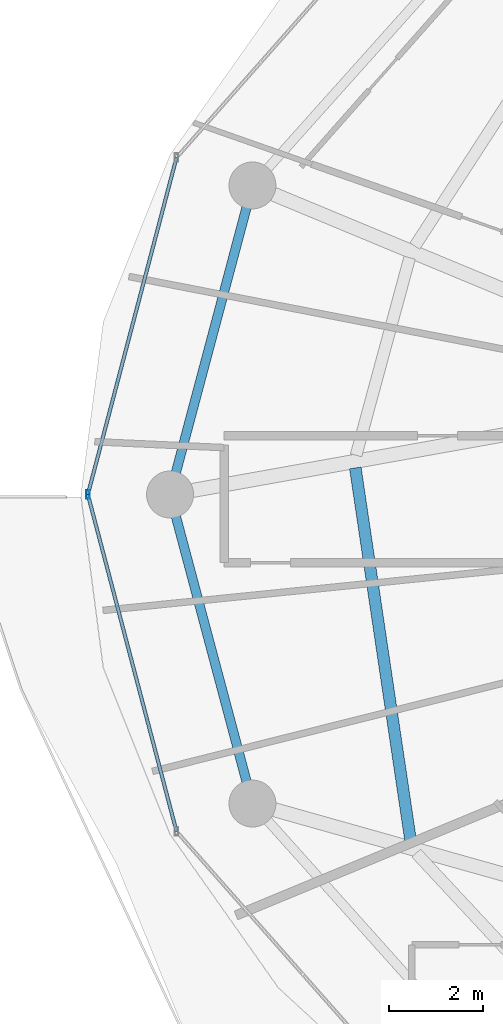
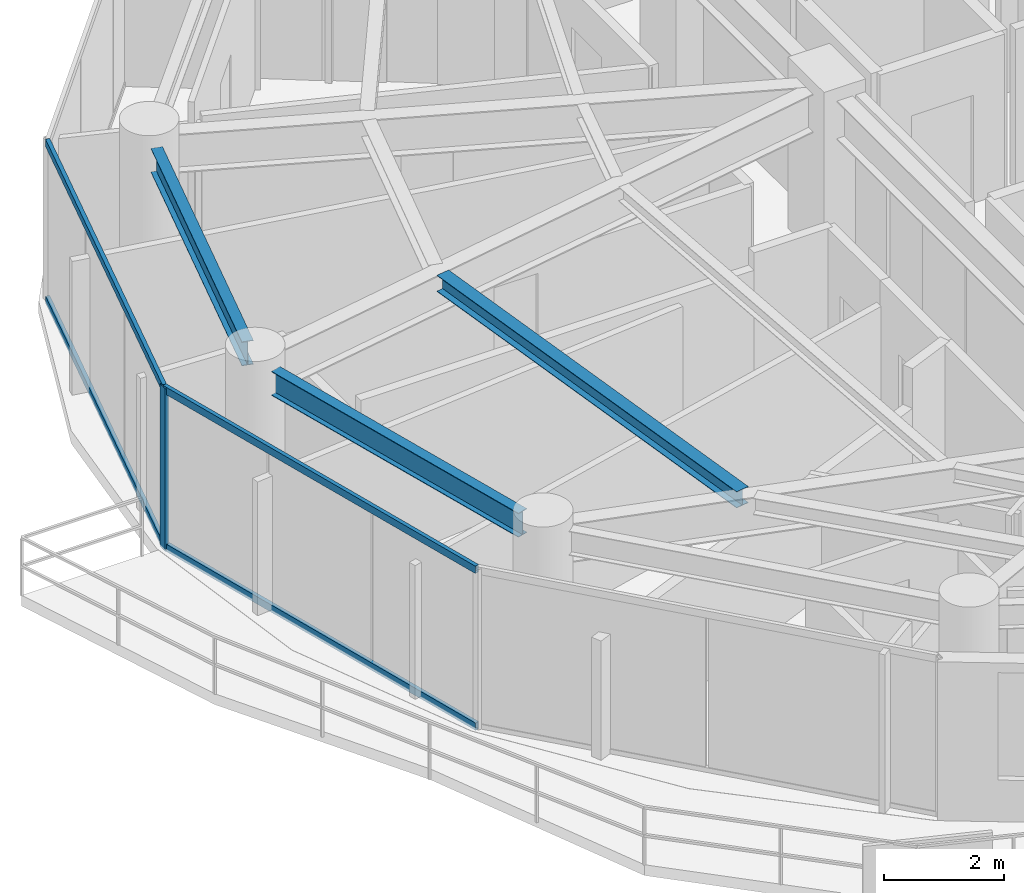
# One storey, part 6 of 28: 5 members, 3 beams, 1 element without a shape of its own.
"""IFC4 building model written with IfcOpenShell, lengths in metres."""

from ifc_helpers import new_model, si_unit, direction, frame, origin, origin_2d, place, context, subcontext, project, spatial, hollow_rectangle, i_section, extrude, material, material_profile, profile_set, type_object, element, aggregate, save


model = new_model("IFC4")

# Units and contexts
model_context = context("Model", 3, precision=1e-05, world=origin(), true_north=direction((0.0, 1.0)))
body_context = subcontext(model_context, "Body", "Model", "MODEL_VIEW")
ifc_project = project(units=[si_unit("LENGTHUNIT", "METRE"), si_unit("AREAUNIT", "SQUARE_METRE"), si_unit("VOLUMEUNIT", "CUBIC_METRE"), si_unit("PLANEANGLEUNIT", "RADIAN"), si_unit("MASSUNIT", "GRAM", prefix="KILO")], contexts=[model_context])

# Site, building, storey
site_placement = place(None, origin())
site = spatial("IfcSite", under=ifc_project, at=site_placement, CompositionType="ELEMENT")
building_placement = place(site_placement, origin())
building = spatial("IfcBuilding", under=site, at=building_placement, Name="Vorneva Point Tower", CompositionType="ELEMENT")
storey_placement = place(building_placement, frame((0.0, 0.0, 164.10009765625)))
storey = spatial("IfcBuildingStorey", under=building, at=storey_placement, Name="L44", CompositionType="ELEMENT", Elevation=164.10009765625)

# Beams
ifc_material_1 = material(Name="Steel S355", Category="steel")
ifc_material_profile_1 = material_profile(ifc_material_1, i_section(OverallWidth=0.2490234375, OverallDepth=0.333984375, WebThickness=0.008056640625, FlangeThickness=0.010986328125, at=origin_2d()), Name="35Sh1")
ifc_profile_set_1 = profile_set([ifc_material_profile_1], Name="Steel S355")
beam_type_1 = type_object("IfcBeamType", Name="BM-SEC-35Sh1", PredefinedType="BEAM", material=ifc_profile_set_1)
beam_placement = place(storey_placement, frame((18.89599609375, 26.565673828125, 3.072998046875), z_axis=(0.146838688034, -0.989160451947, 0.0), x_axis=(0.989160451947, 0.146838688034, 0.0)))
element("IfcBeam", 1, at=beam_placement, inside=storey, type_object=beam_type_1, Name="L44 Secondary Floor Beam 1.09", PredefinedType="BEAM", context=body_context, shape_type="SweptSolid", body=[
    extrude(i_section(OverallWidth=0.2490234375, OverallDepth=0.333984375, WebThickness=0.008056640625, FlangeThickness=0.010986328125, at=origin_2d()), origin(), (0.0, 0.0, 1.0), 8.053955078125),
])
ifc_material_profile_2 = material_profile(ifc_material_1, i_section(OverallWidth=0.199951171875, OverallDepth=0.491943359375, WebThickness=0.0087890625, FlangeThickness=0.011962890625, at=origin_2d()), Name="50B1")
ifc_profile_set_2 = profile_set([ifc_material_profile_2], Name="Steel S355")
beam_type_2 = type_object("IfcBeamType", Name="BM-SPN-50B1", PredefinedType="SPANDREL", material=ifc_profile_set_2)
for number, where, z_axis, x_axis, name in (
    (2, (16.57958984375, 32.113525390625, 2.993896484375), (-0.257550804648, -0.966264758245, 0.0), (0.966264758245, -0.257550804648, 0.0), "L44 Perimeter Spandrel Ring Beam 08"),
    (3, (15.074951171875, 25.531494140625, 2.993896484375), (0.257550804648, -0.966264758245, 0.0), (0.966264758245, 0.257550804648, 0.0), "L44 Perimeter Spandrel Ring Beam 09"),
):
    element("IfcBeam", number, at=place(storey_placement, frame(where, z_axis=z_axis, x_axis=x_axis)), inside=storey, type_object=beam_type_2, Name=name, PredefinedType="SPANDREL", context=body_context, shape_type="SweptSolid", body=[
        extrude(i_section(OverallWidth=0.199951171875, OverallDepth=0.491943359375, WebThickness=0.0087890625, FlangeThickness=0.011962890625, at=origin_2d()), origin(), (0.0, 0.0, 1.0), 5.842041015625),
    ])

# Curtain wall, members
ifc_material_2 = material(Name="Pale anodised aluminium", Category="aluminium")
curtain_wall_type = type_object("IfcCurtainWallType", Name="CW-RES-SYS", PredefinedType="NOTDEFINED", material=ifc_material_2)
curtain_wall_placement = place(storey_placement, origin())
curtain_wall = element("IfcCurtainWall", 4, at=curtain_wall_placement, inside=storey, type_object=curtain_wall_type, Name="L44 Unitised Curtain Wall CW-L44-R03", PredefinedType="NOTDEFINED")
ifc_material_profile_3 = material_profile(ifc_material_2, hollow_rectangle(XDim=0.074951171875, YDim=0.179931640625, WallThickness=0.00390625, at=origin_2d()), Name="AL-MUL 180x75x4")
ifc_profile_set_3 = profile_set([ifc_material_profile_3], Name="Pale anodised aluminium")
member_type_1 = type_object("IfcMemberType", Name="CW-MUL-180", PredefinedType="MULLION", material=ifc_profile_set_3)
member_1_placement = place(storey_placement, frame((13.199951171875, 26.0, -0.0400390625), z_axis=(0.0, 0.0, 1.0), x_axis=(1.0, 0.0, 0.0)))
member_1 = element("IfcMember", 5, at=member_1_placement, type_object=member_type_1, Name="CW-L44-R03 Mullion 03", PredefinedType="MULLION", context=body_context, shape_type="SweptSolid", body=[
    extrude(hollow_rectangle(XDim=0.074951171875, YDim=0.179931640625, WallThickness=0.00390625, at=origin_2d()), origin(), (0.0, 0.0, 1.0), 3.31005859375),
])
ifc_material_profile_4 = material_profile(ifc_material_2, hollow_rectangle(XDim=0.074951171875, YDim=0.14990234375, WallThickness=0.00390625, at=origin_2d()), Name="AL-TRN 150x75x4")
ifc_profile_set_4 = profile_set([ifc_material_profile_4], Name="Pale anodised aluminium")
member_type_2 = type_object("IfcMemberType", Name="CW-TRN-150", PredefinedType="USERDEFINED", material=ifc_profile_set_4)
member_2_placement = place(storey_placement, frame((15.087890625, 33.17529296875, 0.02001953125), z_axis=(-0.254456046293, -0.967084339913, 0.0), x_axis=(0.967084339913, -0.254456046293, 0.0)))
member_2 = element("IfcMember", 6, at=member_2_placement, type_object=member_type_2, Name="CW-L44-R03 Transom 02.1", ObjectType="TRANSOM", PredefinedType="USERDEFINED", context=body_context, shape_type="SweptSolid", body=[
    extrude(hollow_rectangle(XDim=0.074951171875, YDim=0.14990234375, WallThickness=0.00390625, at=origin_2d()), origin(), (0.0, 0.0, 1.0), 7.41943359375),
])
member_3_placement = place(storey_placement, frame((15.087890625, 33.17529296875, 3.219970703125), z_axis=(-0.254456046293, -0.967084339913, 0.0), x_axis=(0.967084339913, -0.254456046293, 0.0)))
member_3 = element("IfcMember", 7, at=member_3_placement, type_object=member_type_2, Name="CW-L44-R03 Transom 02.2", ObjectType="TRANSOM", PredefinedType="USERDEFINED", context=body_context, shape_type="SweptSolid", body=[
    extrude(hollow_rectangle(XDim=0.074951171875, YDim=0.14990234375, WallThickness=0.00390625, at=origin_2d()), origin(), (0.0, 0.0, 1.0), 7.41943359375),
])
member_4_placement = place(storey_placement, frame((13.199951171875, 26.0, 0.02001953125), z_axis=(0.254456046293, -0.967084339913, 0.0), x_axis=(0.967084339913, 0.254456046293, 0.0)))
member_4 = element("IfcMember", 8, at=member_4_placement, type_object=member_type_2, Name="CW-L44-R03 Transom 03.1", ObjectType="TRANSOM", PredefinedType="USERDEFINED", context=body_context, shape_type="SweptSolid", body=[
    extrude(hollow_rectangle(XDim=0.074951171875, YDim=0.14990234375, WallThickness=0.00390625, at=origin_2d()), origin(), (0.0, 0.0, 1.0), 7.41943359375),
])
member_5_placement = place(storey_placement, frame((13.199951171875, 26.0, 3.219970703125), z_axis=(0.254456046293, -0.967084339913, 0.0), x_axis=(0.967084339913, 0.254456046293, 0.0)))
member_5 = element("IfcMember", 9, at=member_5_placement, type_object=member_type_2, Name="CW-L44-R03 Transom 03.2", ObjectType="TRANSOM", PredefinedType="USERDEFINED", context=body_context, shape_type="SweptSolid", body=[
    extrude(hollow_rectangle(XDim=0.074951171875, YDim=0.14990234375, WallThickness=0.00390625, at=origin_2d()), origin(), (0.0, 0.0, 1.0), 7.41943359375),
])
aggregate(curtain_wall, [member_1, member_2, member_3, member_4, member_5])

save(model, "model.ifc")
